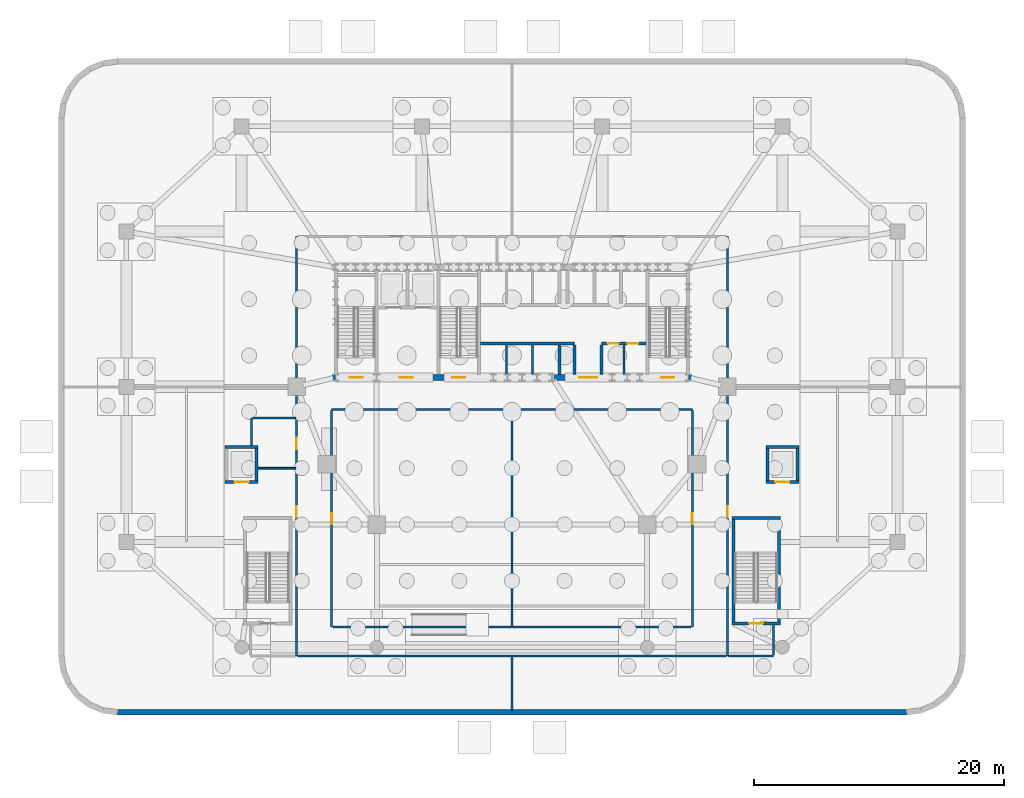
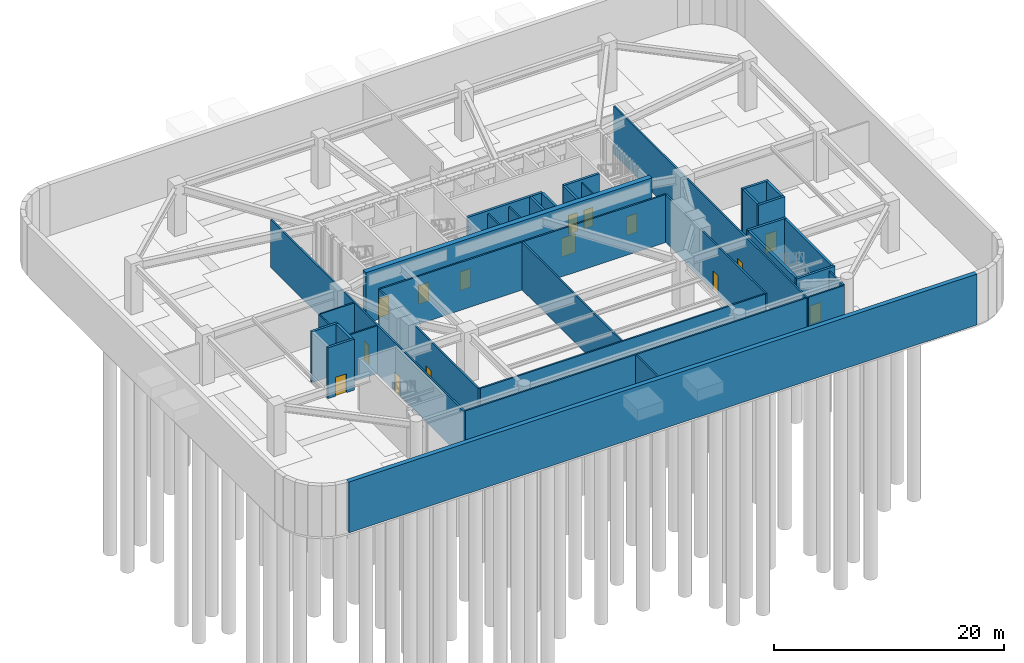
# One storey, part 5 of 11: 35 walls, 15 doors, 15 openings.
"""IFC4 building model written with IfcOpenShell, lengths in metres."""

from ifc_helpers import new_model, si_unit, direction, frame, frame_2d, origin, place, context, subcontext, project, spatial, rectangle, extrude, material, layer, layer_set, type_object, element, fill, save


model = new_model("IFC4")

# Units and contexts
model_context = context("Model", 3, precision=1e-05, world=origin(), true_north=direction((0.0, 1.0)))
body_context = subcontext(model_context, "Body", "Model", "MODEL_VIEW")
ifc_project = project(units=[si_unit("LENGTHUNIT", "METRE"), si_unit("AREAUNIT", "SQUARE_METRE"), si_unit("VOLUMEUNIT", "CUBIC_METRE"), si_unit("PLANEANGLEUNIT", "RADIAN"), si_unit("MASSUNIT", "GRAM", prefix="KILO")], contexts=[model_context])

# Site, building, storey
site_placement = place(None, origin())
site = spatial("IfcSite", under=ifc_project, at=site_placement, CompositionType="ELEMENT")
building_placement = place(site_placement, origin())
building = spatial("IfcBuilding", under=site, at=building_placement, Name="Haldorwick Loom Tower", CompositionType="ELEMENT")
storey_placement = place(building_placement, frame((0.0, 0.0, -5.39990234375)))
storey = spatial("IfcBuildingStorey", under=building, at=storey_placement, Name="B01", CompositionType="ELEMENT", Elevation=-5.39990234375)

# Wall
ifc_material_1 = material(Name="Fire-Rated Type X Gypsum Stud Assembly EI 60")
ifc_layer_1 = layer(ifc_material_1, 0.159912109375, Name="Fire-Rated Type X Gypsum Stud Assembly EI 60")
ifc_layer_set_1 = layer_set([ifc_layer_1], Name="Fire-Rated Type X Gypsum Stud Assembly EI 60")
wall_type_1 = type_object("IfcWallType", Name="ARC-WL-FIRE160", PredefinedType="PARTITIONING", material=ifc_layer_set_1)
wall_1_placement = place(storey_placement, frame((21.60009765625, 24.199951171875, 0.0), z_axis=(0.0, 0.0, 1.0), x_axis=(1.0, 0.0, 0.0)))
element("IfcWall", 1, at=wall_1_placement, inside=storey, type_object=wall_type_1, Name="B01 Podium Partition B01-CS1", PredefinedType="PARTITIONING", context=body_context, shape_type="SweptSolid", body=[
    extrude(rectangle(XDim=28.7998046875, YDim=0.159912109375, at=frame_2d((14.39990234375, 0.0))), origin(), (0.0, 0.0, 1.0), 5.0849609375),
])

# Wall, openings, doors
wall_2_placement = place(storey_placement, frame((18.800048828125, 4.5, 0.0), z_axis=(0.0, 0.0, 1.0), x_axis=(0.0, 1.0, 0.0)))
wall_2 = element("IfcWall", 2, at=wall_2_placement, inside=storey, type_object=wall_type_1, Name="B01 Podium Partition B01-CW0", PredefinedType="PARTITIONING", context=body_context, shape_type="SweptSolid", body=[
    extrude(rectangle(XDim=33.5, YDim=0.159912109375, at=frame_2d((16.75, 0.0))), origin(), (0.0, 0.0, 1.0), 5.0849609375),
])
opening_1_placement = place(wall_2_placement, frame((11.068603515625, 0.0, 0.0)))
opening_1 = element("IfcOpeningElement", 3, at=opening_1_placement, cuts=wall_2, Name="Opening D-FD60A", PredefinedType="OPENING", context=body_context, shape_type="SweptSolid", body=[
    extrude(rectangle(XDim=0.89990234375, YDim=2.0, at=frame_2d((0.449951171875, 1.0))), frame((0.0, 0.08984375, 0.0), z_axis=(0.0, -1.0, 0.0), x_axis=(1.0, 0.0, 0.0)), (0.0, 0.0, 1.0), 0.179931640625),
])
opening_2_placement = place(wall_2_placement, frame((16.5205078125, 0.0, 0.0)))
opening_2 = element("IfcOpeningElement", 4, at=opening_2_placement, cuts=wall_2, Name="Opening D-FD60A", PredefinedType="OPENING", context=body_context, shape_type="SweptSolid", body=[
    extrude(rectangle(XDim=0.89990234375, YDim=2.0, at=frame_2d((0.449951171875, 1.0))), frame((0.0, 0.08984375, 0.0), z_axis=(0.0, -1.0, 0.0), x_axis=(1.0, 0.0, 0.0)), (0.0, 0.0, 1.0), 0.179931640625),
])
ifc_material_2 = material(Name="Hollow Steel Fire Door Assembly", Category="steel")
door_type_1 = type_object("IfcDoorType", Name="ARC-DR-FD60-90", OperationType="NOTDEFINED", PredefinedType="DOOR", material=ifc_material_2)
door_1_placement = place(opening_1_placement, frame((0.89990234375, 0.0, 0.0), z_axis=(0.0, 0.0, 1.0), x_axis=(-1.0, 0.0, 0.0)))
door_1 = element("IfcDoor", 5, at=door_1_placement, inside=storey, type_object=door_type_1, Name="B01 Secure Bicycle Storage to Basement Core Service Corridor Door", OperationType="SINGLE_SWING_RIGHT", OverallHeight=2.0, OverallWidth=0.89990234375, PredefinedType="DOOR", context=body_context, shape_type="SweptSolid", body=[
    extrude(rectangle(XDim=0.89990234375, YDim=2.0, at=frame_2d((0.449951171875, 1.0))), frame((0.0, 0.02490234375, 0.0), z_axis=(0.0, -1.0, 0.0), x_axis=(1.0, 0.0, 0.0)), (0.0, 0.0, 1.0), 0.050048828125),
])
fill(opening_1, door_1)
door_2_placement = place(opening_2_placement, frame((0.89990234375, 0.0, 0.0), z_axis=(0.0, 0.0, 1.0), x_axis=(-1.0, 0.0, 0.0)))
door_2 = element("IfcDoor", 6, at=door_2_placement, inside=storey, type_object=door_type_1, Name="B01 Staff Accessible WC to Basement Core Service Corridor Door", OperationType="SINGLE_SWING_RIGHT", OverallHeight=2.0, OverallWidth=0.89990234375, PredefinedType="DOOR", context=body_context, shape_type="SweptSolid", body=[
    extrude(rectangle(XDim=0.89990234375, YDim=2.0, at=frame_2d((0.449951171875, 1.0))), frame((0.0, 0.02490234375, 0.0), z_axis=(0.0, -1.0, 0.0), x_axis=(1.0, 0.0, 0.0)), (0.0, 0.0, 1.0), 0.050048828125),
])
fill(opening_2, door_2)

# Wall, opening, door
wall_3_placement = place(storey_placement, frame((21.60009765625, 6.800048828125, 0.0), z_axis=(0.0, 0.0, 1.0), x_axis=(0.0, 1.0, 0.0)))
wall_3 = element("IfcWall", 7, at=wall_3_placement, inside=storey, type_object=wall_type_1, Name="B01 Podium Partition B01-CW1", PredefinedType="PARTITIONING", context=body_context, shape_type="SweptSolid", body=[
    extrude(rectangle(XDim=17.31689453125, YDim=0.159912109375, at=frame_2d((8.658447265625, 0.0))), origin(), (0.0, 0.0, 1.0), 5.0849609375),
])
opening_3_placement = place(wall_3_placement, frame((8.20849609375, 0.0, 0.0)))
opening_3 = element("IfcOpeningElement", 8, at=opening_3_placement, cuts=wall_3, Name="Opening D-FD60A", PredefinedType="OPENING", context=body_context, shape_type="SweptSolid", body=[
    extrude(rectangle(XDim=0.89990234375, YDim=2.0, at=frame_2d((0.449951171875, 1.0))), frame((0.0, 0.08984375, 0.0), z_axis=(0.0, -1.0, 0.0), x_axis=(1.0, 0.0, 0.0)), (0.0, 0.0, 1.0), 0.179931640625),
])
door_3_placement = place(opening_3_placement, frame((0.89990234375, 0.0, 0.0), z_axis=(0.0, 0.0, 1.0), x_axis=(-1.0, 0.0, 0.0)))
door_3 = element("IfcDoor", 9, at=door_3_placement, inside=storey, type_object=door_type_1, Name="B01 Basement Core Service Corridor to Traction Power Substation Door", OperationType="SINGLE_SWING_RIGHT", OverallHeight=2.0, OverallWidth=0.89990234375, PredefinedType="DOOR", context=body_context, shape_type="SweptSolid", body=[
    extrude(rectangle(XDim=0.89990234375, YDim=2.0, at=frame_2d((0.449951171875, 1.0))), frame((0.0, 0.02490234375, 0.0), z_axis=(0.0, -1.0, 0.0), x_axis=(1.0, 0.0, 0.0)), (0.0, 0.0, 1.0), 0.050048828125),
])
fill(opening_3, door_3)

wall_4_placement = place(storey_placement, frame((53.199951171875, 4.5, 0.0), z_axis=(0.0, 0.0, 1.0), x_axis=(0.0, 1.0, 0.0)))
wall_4 = element("IfcWall", 10, at=wall_4_placement, inside=storey, type_object=wall_type_1, Name="B01 Podium Partition B01-CE0", PredefinedType="PARTITIONING", context=body_context, shape_type="SweptSolid", body=[
    extrude(rectangle(XDim=33.5, YDim=0.159912109375, at=frame_2d((16.75, 0.0))), origin(), (0.0, 0.0, 1.0), 5.0849609375),
])
opening_4_placement = place(wall_4_placement, frame((11.068603515625, 0.0, 0.0)))
opening_4 = element("IfcOpeningElement", 11, at=opening_4_placement, cuts=wall_4, Name="Opening D-FD60A", PredefinedType="OPENING", context=body_context, shape_type="SweptSolid", body=[
    extrude(rectangle(XDim=0.89990234375, YDim=2.0, at=frame_2d((0.449951171875, 1.0))), frame((0.0, 0.08984375, 0.0), z_axis=(0.0, -1.0, 0.0), x_axis=(1.0, 0.0, 0.0)), (0.0, 0.0, 1.0), 0.179931640625),
])
door_4_placement = place(opening_4_placement, origin())
door_4 = element("IfcDoor", 12, at=door_4_placement, inside=storey, type_object=door_type_1, Name="B01 Basement Core Service Corridor to Domestic Booster and Fire Pump Roo", OperationType="SINGLE_SWING_LEFT", OverallHeight=2.0, OverallWidth=0.89990234375, PredefinedType="DOOR", context=body_context, shape_type="SweptSolid", body=[
    extrude(rectangle(XDim=0.89990234375, YDim=2.0, at=frame_2d((0.449951171875, 1.0))), frame((0.0, 0.02490234375, 0.0), z_axis=(0.0, -1.0, 0.0), x_axis=(1.0, 0.0, 0.0)), (0.0, 0.0, 1.0), 0.050048828125),
])
fill(opening_4, door_4)

wall_5_placement = place(storey_placement, frame((50.39990234375, 6.800048828125, 0.0), z_axis=(0.0, 0.0, 1.0), x_axis=(0.0, 1.0, 0.0)))
wall_5 = element("IfcWall", 13, at=wall_5_placement, inside=storey, type_object=wall_type_1, Name="B01 Podium Partition B01-CE1", PredefinedType="PARTITIONING", context=body_context, shape_type="SweptSolid", body=[
    extrude(rectangle(XDim=17.31689453125, YDim=0.159912109375, at=frame_2d((8.658447265625, 0.0))), origin(), (0.0, 0.0, 1.0), 5.0849609375),
])
opening_5_placement = place(wall_5_placement, frame((8.20849609375, 0.0, 0.0)))
opening_5 = element("IfcOpeningElement", 14, at=opening_5_placement, cuts=wall_5, Name="Opening D-FD60A", PredefinedType="OPENING", context=body_context, shape_type="SweptSolid", body=[
    extrude(rectangle(XDim=0.89990234375, YDim=2.0, at=frame_2d((0.449951171875, 1.0))), frame((0.0, 0.08984375, 0.0), z_axis=(0.0, -1.0, 0.0), x_axis=(1.0, 0.0, 0.0)), (0.0, 0.0, 1.0), 0.179931640625),
])
door_5_placement = place(opening_5_placement, origin())
door_5 = element("IfcDoor", 15, at=door_5_placement, inside=storey, type_object=door_type_1, Name="B01 Geothermal Heat Exchanger Plant to Basement Core Service Corridor Do", OperationType="SINGLE_SWING_LEFT", OverallHeight=2.0, OverallWidth=0.89990234375, PredefinedType="DOOR", context=body_context, shape_type="SweptSolid", body=[
    extrude(rectangle(XDim=0.89990234375, YDim=2.0, at=frame_2d((0.449951171875, 1.0))), frame((0.0, 0.02490234375, 0.0), z_axis=(0.0, -1.0, 0.0), x_axis=(1.0, 0.0, 0.0)), (0.0, 0.0, 1.0), 0.050048828125),
])
fill(opening_5, door_5)

# Walls
wall_6_placement = place(storey_placement, frame((18.883056640625, 4.5, 0.0), z_axis=(0.0, 0.0, 1.0), x_axis=(1.0, 0.0, 0.0)))
element("IfcWall", 16, at=wall_6_placement, inside=storey, type_object=wall_type_1, Name="B01 Podium Partition B01-SS0", PredefinedType="PARTITIONING", context=body_context, shape_type="SweptSolid", body=[
    extrude(rectangle(XDim=34.23388671875, YDim=0.159912109375, at=frame_2d((17.116943359375, 0.0))), origin(), (0.0, 0.0, 1.0), 5.0849609375),
])
wall_7_placement = place(storey_placement, frame((53.282958984375, 4.5, 0.0), z_axis=(0.0, 0.0, 1.0), x_axis=(1.0, 0.0, 0.0)))
element("IfcWall", 17, at=wall_7_placement, inside=storey, type_object=wall_type_1, Name="B01 Podium Partition B01-SS0", PredefinedType="PARTITIONING", context=body_context, shape_type="SweptSolid", body=[
    extrude(rectangle(XDim=3.616943359375, YDim=0.159912109375, at=frame_2d((1.80859375, 0.0))), origin(), (0.0, 0.0, 1.0), 5.0849609375),
])
wall_8_placement = place(storey_placement, frame((21.68310546875, 6.800048828125, 0.0), z_axis=(0.0, 0.0, 1.0), x_axis=(1.0, 0.0, 0.0)))
element("IfcWall", 18, at=wall_8_placement, inside=storey, type_object=wall_type_1, Name="B01 Podium Partition B01-SS1", PredefinedType="PARTITIONING", context=body_context, shape_type="SweptSolid", body=[
    extrude(rectangle(XDim=28.6337890625, YDim=0.159912109375, at=frame_2d((14.31689453125, 0.0))), origin(), (0.0, 0.0, 1.0), 5.0849609375),
])
wall_9_placement = place(storey_placement, frame((56.89990234375, 4.5830078125, 0.0), z_axis=(0.0, 0.0, 1.0), x_axis=(0.0, 1.0, 0.0)))
element("IfcWall", 19, at=wall_9_placement, inside=storey, type_object=wall_type_1, Name="B01 Podium Partition B01-SEL", PredefinedType="PARTITIONING", context=body_context, shape_type="SweptSolid", body=[
    extrude(rectangle(XDim=2.3740234375, YDim=0.159912109375, at=frame_2d((1.18701171875, 0.0))), origin(), (0.0, 0.0, 1.0), 5.0849609375),
])
wall_10_placement = place(storey_placement, frame((36.0, 6.883056640625, 0.0), z_axis=(0.0, 0.0, 1.0), x_axis=(0.0, 1.0, 0.0)))
element("IfcWall", 20, at=wall_10_placement, inside=storey, type_object=wall_type_1, Name="B01 Podium Partition B01-DV1", PredefinedType="PARTITIONING", context=body_context, shape_type="SweptSolid", body=[
    extrude(rectangle(XDim=17.23388671875, YDim=0.159912109375, at=frame_2d((8.616943359375, 0.0))), origin(), (0.0, 0.0, 1.0), 5.0849609375),
])
wall_11_placement = place(storey_placement, frame((36.0, 0.10009765625, 0.0), z_axis=(0.0, 0.0, 1.0), x_axis=(0.0, 1.0, 0.0)))
element("IfcWall", 21, at=wall_11_placement, inside=storey, type_object=wall_type_1, Name="B01 Podium Partition B01-DV5", PredefinedType="PARTITIONING", context=body_context, shape_type="SweptSolid", body=[
    extrude(rectangle(XDim=4.31689453125, YDim=0.159912109375, at=frame_2d((2.158447265625, 0.0))), origin(), (0.0, 0.0, 1.0), 5.0849609375),
])
ifc_layer_2 = layer(ifc_material_1, 0.139892578125, Name="Fire-Rated Type X Gypsum Stud Assembly EI 60")
ifc_layer_set_2 = layer_set([ifc_layer_2], Name="Fire-Rated Type X Gypsum Stud Assembly EI 60")
wall_type_2 = type_object("IfcWallType", Name="ARC-WL-PART140", PredefinedType="PARTITIONING", material=ifc_layer_set_2)
wall_12_placement = place(storey_placement, frame((44.949951171875, 27.0029296875, 0.0), z_axis=(0.0, 0.0, 1.0), x_axis=(0.0, 1.0, 0.0)))
element("IfcWall", 22, at=wall_12_placement, inside=storey, type_object=wall_type_2, Name="B01 Service Partition", PredefinedType="PARTITIONING", context=body_context, shape_type="SweptSolid", body=[
    extrude(rectangle(XDim=2.323974609375, YDim=0.139892578125, at=frame_2d((1.162109375, 0.0))), origin(), (0.0, 0.0, 1.0), 5.0849609375),
])
wall_13_placement = place(storey_placement, frame((15.722900390625, 19.5, 0.0), z_axis=(0.0, 0.0, 1.0), x_axis=(1.0, 0.0, 0.0)))
element("IfcWall", 23, at=wall_13_placement, inside=storey, type_object=wall_type_2, Name="B01 Podium Partition B01-WC1", PredefinedType="PARTITIONING", context=body_context, shape_type="SweptSolid", body=[
    extrude(rectangle(XDim=2.994140625, YDim=0.139892578125, at=frame_2d((1.4970703125, 0.0))), origin(), (0.0, 0.0, 1.0), 5.0849609375),
])
wall_14_placement = place(storey_placement, frame((15.199951171875, 21.322998046875, 0.0), z_axis=(0.0, 0.0, 1.0), x_axis=(0.0, 1.0, 0.0)))
element("IfcWall", 24, at=wall_14_placement, inside=storey, type_object=wall_type_2, Name="B01 Podium Partition B01-WC2", PredefinedType="PARTITIONING", context=body_context, shape_type="SweptSolid", body=[
    extrude(rectangle(XDim=2.177001953125, YDim=0.139892578125, at=frame_2d((1.08837890625, 0.0))), origin(), (0.0, 0.0, 1.0), 5.0849609375),
])
wall_15_placement = place(storey_placement, frame((15.27294921875, 23.5, 0.0), z_axis=(0.0, 0.0, 1.0), x_axis=(1.0, 0.0, 0.0)))
element("IfcWall", 25, at=wall_15_placement, inside=storey, type_object=wall_type_2, Name="B01 Podium Partition B01-WC3", PredefinedType="PARTITIONING", context=body_context, shape_type="SweptSolid", body=[
    extrude(rectangle(XDim=3.444091796875, YDim=0.139892578125, at=frame_2d((1.72216796875, 0.0))), origin(), (0.0, 0.0, 1.0), 5.0849609375),
])
ifc_material_3 = material(Name="Fire-Rated Type X Gypsum Stud Assembly EI 120")
ifc_layer_3 = layer(ifc_material_3, 0.1650390625, Name="Fire-Rated Type X Gypsum Stud Assembly EI 120")
ifc_layer_set_3 = layer_set([ifc_layer_3], Name="Fire-Rated Type X Gypsum Stud Assembly EI 120")
wall_type_3 = type_object("IfcWallType", Name="ARC-WL-SHAFT160", PredefinedType="MOVABLE", material=ifc_layer_set_3)
for number, where, z_axis, x_axis, name in (
    (26, (35.550048828125, 27.0029296875, 0.0), (0.0, 0.0, 1.0), (0.0, 1.0, 0.0), "B01 Mid-Rise Hoistway Divider 1"),
    (27, (37.64990234375, 27.0029296875, 0.0), (0.0, 0.0, 1.0), (0.0, 1.0, 0.0), "B01 Mid-Rise Hoistway Divider 2"),
):
    element("IfcWall", number, at=place(storey_placement, frame(where, z_axis=z_axis, x_axis=x_axis)), inside=storey, type_object=wall_type_3, Name=name, PredefinedType="MOVABLE", context=body_context, shape_type="SweptSolid", body=[
        extrude(rectangle(XDim=2.323974609375, YDim=0.159912109375, at=frame_2d((1.162109375, 0.0))), origin(), (0.0, 0.0, 1.0), 5.0849609375),
    ])
ifc_material_4 = material(Name="Concrete C45 (45 MPa)", Category="concrete")
ifc_layer_4 = layer(ifc_material_4, 0.449951171875, Name="Concrete C45 (45 MPa)", Category="concrete")
ifc_layer_set_4 = layer_set([ifc_layer_4], Name="Concrete C45 (45 MPa)")
wall_type_4 = type_object("IfcWallType", Name="STR-WL-BSMT450", PredefinedType="SOLIDWALL", material=ifc_layer_set_4)
wall_16_placement = place(storey_placement, frame((4.5, 0.0, 0.0), z_axis=(0.0, 0.0, 1.0), x_axis=(1.0, 0.0, 0.0)))
element("IfcWall", 28, at=wall_16_placement, inside=storey, type_object=wall_type_4, Name="B01 Perimeter Basement Retaining Wall 28", PredefinedType="SOLIDWALL", context=body_context, shape_type="SweptSolid", body=[
    extrude(rectangle(XDim=63.0, YDim=0.449951171875, at=frame_2d((31.5, 0.0))), origin(), (0.0, 0.0, 1.0), 5.39990234375),
])

# Wall, openings, doors
ifc_material_5 = material(Name="Concrete C60 (60 MPa)", Category="concrete")
ifc_layer_5 = layer(ifc_material_5, 0.5, Name="Concrete C60 (60 MPa)", Category="concrete")
ifc_layer_set_5 = layer_set([ifc_layer_5], Name="Concrete C60 (60 MPa)")
wall_type_5 = type_object("IfcWallType", Name="STR-WL-CORE500", PredefinedType="SHEAR", material=ifc_layer_set_5)
wall_17_placement = place(storey_placement, frame((21.64990234375, 26.75, 0.0), z_axis=(0.0, 0.0, 1.0), x_axis=(1.0, 0.0, 0.0)))
wall_17 = element("IfcWall", 29, at=wall_17_placement, inside=storey, type_object=wall_type_5, Name="B01 Core Shear Wall S", PredefinedType="SHEAR", context=body_context, shape_type="SweptSolid", body=[
    extrude(rectangle(XDim=28.7001953125, YDim=0.5, at=frame_2d((14.35009765625, 0.0))), origin(), (0.0, 0.0, 1.0), 5.39990234375),
])
opening_6_placement = place(wall_17_placement, frame((1.375, 0.0, 0.0)))
opening_6 = element("IfcOpeningElement", 30, at=opening_6_placement, cuts=wall_17, Name="Opening D-FD60", PredefinedType="OPENING", context=body_context, shape_type="SweptSolid", body=[
    extrude(rectangle(XDim=1.050048828125, YDim=2.0, at=frame_2d((0.52490234375, 1.0))), frame((0.0, 0.260009765625, 0.0), z_axis=(0.0, -1.0, 0.0), x_axis=(1.0, 0.0, 0.0)), (0.0, 0.0, 1.0), 0.52001953125),
])
opening_7_placement = place(wall_17_placement, frame((5.375, 0.0, 0.0)))
opening_7 = element("IfcOpeningElement", 31, at=opening_7_placement, cuts=wall_17, Name="Opening D-FD60", PredefinedType="OPENING", context=body_context, shape_type="SweptSolid", body=[
    extrude(rectangle(XDim=1.050048828125, YDim=2.0, at=frame_2d((0.52490234375, 1.0))), frame((0.0, 0.260009765625, 0.0), z_axis=(0.0, -1.0, 0.0), x_axis=(1.0, 0.0, 0.0)), (0.0, 0.0, 1.0), 0.52001953125),
])
opening_8_placement = place(wall_17_placement, frame((9.574951171875, 0.0, 0.0)))
opening_8 = element("IfcOpeningElement", 32, at=opening_8_placement, cuts=wall_17, Name="Opening D-FD60", PredefinedType="OPENING", context=body_context, shape_type="SweptSolid", body=[
    extrude(rectangle(XDim=1.050048828125, YDim=2.0, at=frame_2d((0.52490234375, 1.0))), frame((0.0, 0.260009765625, 0.0), z_axis=(0.0, -1.0, 0.0), x_axis=(1.0, 0.0, 0.0)), (0.0, 0.0, 1.0), 0.52001953125),
])
opening_9_placement = place(wall_17_placement, frame((19.705078125, 0.0, 0.0)))
opening_9 = element("IfcOpeningElement", 33, at=opening_9_placement, cuts=wall_17, Name="Opening D-LB15", PredefinedType="OPENING", context=body_context, shape_type="SweptSolid", body=[
    extrude(rectangle(XDim=1.449951171875, YDim=2.0, at=frame_2d((0.72509765625, 1.0))), frame((0.0, 0.260009765625, 0.0), z_axis=(0.0, -1.0, 0.0), x_axis=(1.0, 0.0, 0.0)), (0.0, 0.0, 1.0), 0.52001953125),
])
opening_10_placement = place(wall_17_placement, frame((26.27490234375, 0.0, 0.0)))
opening_10 = element("IfcOpeningElement", 34, at=opening_10_placement, cuts=wall_17, Name="Opening D-FD60", PredefinedType="OPENING", context=body_context, shape_type="SweptSolid", body=[
    extrude(rectangle(XDim=1.050048828125, YDim=2.0, at=frame_2d((0.52490234375, 1.0))), frame((0.0, 0.260009765625, 0.0), z_axis=(0.0, -1.0, 0.0), x_axis=(1.0, 0.0, 0.0)), (0.0, 0.0, 1.0), 0.52001953125),
])
door_type_2 = type_object("IfcDoorType", Name="ARC-DR-FD60", OperationType="NOTDEFINED", PredefinedType="DOOR", material=ifc_material_2)
door_6_placement = place(opening_6_placement, origin())
door_6 = element("IfcDoor", 35, at=door_6_placement, inside=storey, type_object=door_type_2, Name="B01 Exit Stair ST-01 Fire Door", OperationType="SINGLE_SWING_LEFT", OverallHeight=2.0, OverallWidth=1.050048828125, PredefinedType="DOOR", context=body_context, shape_type="SweptSolid", body=[
    extrude(rectangle(XDim=1.050048828125, YDim=2.0, at=frame_2d((0.52490234375, 1.0))), frame((0.0, 0.02490234375, 0.0), z_axis=(0.0, -1.0, 0.0), x_axis=(1.0, 0.0, 0.0)), (0.0, 0.0, 1.0), 0.050048828125),
])
fill(opening_6, door_6)
door_7_placement = place(opening_7_placement, origin())
door_7 = element("IfcDoor", 36, at=door_7_placement, inside=storey, type_object=door_type_2, Name="B01 Firefighting Lift Lobby Fire Door", OperationType="SINGLE_SWING_RIGHT", OverallHeight=2.0, OverallWidth=1.050048828125, PredefinedType="DOOR", context=body_context, shape_type="SweptSolid", body=[
    extrude(rectangle(XDim=1.050048828125, YDim=2.0, at=frame_2d((0.52490234375, 1.0))), frame((0.0, 0.02490234375, 0.0), z_axis=(0.0, -1.0, 0.0), x_axis=(1.0, 0.0, 0.0)), (0.0, 0.0, 1.0), 0.050048828125),
])
fill(opening_7, door_7)
door_8_placement = place(opening_8_placement, origin())
door_8 = element("IfcDoor", 37, at=door_8_placement, inside=storey, type_object=door_type_2, Name="B01 Exit Stair ST-03 Fire Door", OperationType="SINGLE_SWING_LEFT", OverallHeight=2.0, OverallWidth=1.050048828125, PredefinedType="DOOR", context=body_context, shape_type="SweptSolid", body=[
    extrude(rectangle(XDim=1.050048828125, YDim=2.0, at=frame_2d((0.52490234375, 1.0))), frame((0.0, 0.02490234375, 0.0), z_axis=(0.0, -1.0, 0.0), x_axis=(1.0, 0.0, 0.0)), (0.0, 0.0, 1.0), 0.050048828125),
])
fill(opening_8, door_8)
door_9_placement = place(opening_10_placement, origin())
door_9 = element("IfcDoor", 38, at=door_9_placement, inside=storey, type_object=door_type_2, Name="B01 Exit Stair ST-02 Fire Door", OperationType="SINGLE_SWING_LEFT", OverallHeight=2.0, OverallWidth=1.050048828125, PredefinedType="DOOR", context=body_context, shape_type="SweptSolid", body=[
    extrude(rectangle(XDim=1.050048828125, YDim=2.0, at=frame_2d((0.52490234375, 1.0))), frame((0.0, 0.02490234375, 0.0), z_axis=(0.0, -1.0, 0.0), x_axis=(1.0, 0.0, 0.0)), (0.0, 0.0, 1.0), 0.050048828125),
])
fill(opening_10, door_9)
ifc_material_6 = material(Name="Thermally Broken Anodized Aluminium and Tempered Glass", Category="aluminium")
door_type_3 = type_object("IfcDoorType", Name="ARC-DR-LOB150", OperationType="NOTDEFINED", PredefinedType="DOOR", material=ifc_material_6)
door_10_placement = place(opening_9_placement, frame((1.449951171875, 0.0, 0.0), z_axis=(0.0, 0.0, 1.0), x_axis=(-1.0, 0.0, 0.0)))
door_10 = element("IfcDoor", 39, at=door_10_placement, inside=storey, type_object=door_type_3, Name="B01 Passenger Lift Lobby Fire Door", OperationType="DOUBLE_DOOR_SINGLE_SWING", OverallHeight=2.0, OverallWidth=1.449951171875, PredefinedType="DOOR", context=body_context, shape_type="SweptSolid", body=[
    extrude(rectangle(XDim=1.449951171875, YDim=2.0, at=frame_2d((0.72509765625, 1.0))), frame((0.0, 0.02490234375, 0.0), z_axis=(0.0, -1.0, 0.0), x_axis=(1.0, 0.0, 0.0)), (0.0, 0.0, 1.0), 0.050048828125),
])
fill(opening_9, door_10)

# Wall
ifc_material_7 = material(Name="Concrete C50 (50 MPa)", Category="concrete")
ifc_layer_6 = layer(ifc_material_7, 0.239990234375, Name="Concrete C50 (50 MPa)", Category="concrete")
ifc_layer_set_6 = layer_set([ifc_layer_6], Name="Concrete C50 (50 MPa)")
wall_type_6 = type_object("IfcWallType", Name="STR-WL-SHAFT240", PredefinedType="SHEAR", material=ifc_layer_set_6)
wall_18_placement = place(storey_placement, frame((33.492919921875, 29.449951171875, 0.0), z_axis=(0.0, 0.0, 1.0), x_axis=(1.0, 0.0, 0.0)))
element("IfcWall", 40, at=wall_18_placement, inside=storey, type_object=wall_type_6, Name="B01 Core Shear Wall LS1", PredefinedType="SHEAR", context=body_context, shape_type="SweptSolid", body=[
    extrude(rectangle(XDim=7.507080078125, YDim=0.239990234375, at=frame_2d((3.75341796875, 0.0))), origin(), (0.0, 0.0, 1.0), 5.39990234375),
])

# Wall, openings, doors
wall_19_placement = place(storey_placement, frame((43.14990234375, 29.449951171875, 0.0), z_axis=(0.0, 0.0, 1.0), x_axis=(1.0, 0.0, 0.0)))
wall_19 = element("IfcWall", 41, at=wall_19_placement, inside=storey, type_object=wall_type_6, Name="B01 Core Shear Wall LS2", PredefinedType="SHEAR", context=body_context, shape_type="SweptSolid", body=[
    extrude(rectangle(XDim=3.55712890625, YDim=0.239990234375, at=frame_2d((1.778564453125, 0.0))), origin(), (0.0, 0.0, 1.0), 5.39990234375),
])
opening_11_placement = place(wall_19_placement, frame((0.47998046875, 0.0, 0.0)))
opening_11 = element("IfcOpeningElement", 42, at=opening_11_placement, cuts=wall_19, Name="Opening D-FD60A", PredefinedType="OPENING", context=body_context, shape_type="SweptSolid", body=[
    extrude(rectangle(XDim=0.89990234375, YDim=2.0, at=frame_2d((0.449951171875, 1.0))), frame((0.0, 0.1298828125, 0.0), z_axis=(0.0, -1.0, 0.0), x_axis=(1.0, 0.0, 0.0)), (0.0, 0.0, 1.0), 0.260009765625),
])
opening_12_placement = place(wall_19_placement, frame((2.050048828125, 0.0, 0.0)))
opening_12 = element("IfcOpeningElement", 43, at=opening_12_placement, cuts=wall_19, Name="Opening D-FD60A", PredefinedType="OPENING", context=body_context, shape_type="SweptSolid", body=[
    extrude(rectangle(XDim=0.89990234375, YDim=2.0, at=frame_2d((0.449951171875, 1.0))), frame((0.0, 0.1298828125, 0.0), z_axis=(0.0, -1.0, 0.0), x_axis=(1.0, 0.0, 0.0)), (0.0, 0.0, 1.0), 0.260009765625),
])
door_11_placement = place(opening_11_placement, origin())
door_11 = element("IfcDoor", 44, at=door_11_placement, inside=storey, type_object=door_type_1, Name="B01 Electrical Room Door", OperationType="SINGLE_SWING_LEFT", OverallHeight=2.0, OverallWidth=0.89990234375, PredefinedType="DOOR", context=body_context, shape_type="SweptSolid", body=[
    extrude(rectangle(XDim=0.89990234375, YDim=2.0, at=frame_2d((0.449951171875, 1.0))), frame((0.0, 0.02490234375, 0.0), z_axis=(0.0, -1.0, 0.0), x_axis=(1.0, 0.0, 0.0)), (0.0, 0.0, 1.0), 0.050048828125),
])
fill(opening_11, door_11)
door_12_placement = place(opening_12_placement, origin())
door_12 = element("IfcDoor", 45, at=door_12_placement, inside=storey, type_object=door_type_1, Name="B01 Cleaner's Store Door", OperationType="SINGLE_SWING_LEFT", OverallHeight=2.0, OverallWidth=0.89990234375, PredefinedType="DOOR", context=body_context, shape_type="SweptSolid", body=[
    extrude(rectangle(XDim=0.89990234375, YDim=2.0, at=frame_2d((0.449951171875, 1.0))), frame((0.0, 0.02490234375, 0.0), z_axis=(0.0, -1.0, 0.0), x_axis=(1.0, 0.0, 0.0)), (0.0, 0.0, 1.0), 0.050048828125),
])
fill(opening_12, door_12)

# Walls
for number, where, z_axis, x_axis, name in (
    (46, (41.0, 27.0029296875, 0.0), (0.0, 0.0, 1.0), (0.0, 1.0, 0.0), "B01 Core Shear Wall THW"),
    (47, (43.14990234375, 27.0029296875, 0.0), (0.0, 0.0, 1.0), (0.0, 1.0, 0.0), "B01 Core Shear Wall THE"),
    (48, (39.800048828125, 27.0029296875, 0.0), (0.0, 0.0, 1.0), (0.0, 1.0, 0.0), "B01 Core Shear Wall MRW"),
):
    element("IfcWall", number, at=place(storey_placement, frame(where, z_axis=z_axis, x_axis=x_axis)), inside=storey, type_object=wall_type_6, Name=name, PredefinedType="SHEAR", context=body_context, shape_type="SweptSolid", body=[
        extrude(rectangle(XDim=2.323974609375, YDim=0.239990234375, at=frame_2d((1.162109375, 0.0))), origin(), (0.0, 0.0, 1.0), 5.39990234375),
    ])

# Wall, opening, door
wall_20_placement = place(storey_placement, frame((53.56005859375, 7.080078125, 0.0), z_axis=(0.0, 0.0, 1.0), x_axis=(1.0, 0.0, 0.0)))
wall_20 = element("IfcWall", 49, at=wall_20_placement, inside=storey, type_object=wall_type_6, Name="B01 Exit Stairwell ST-P2 Wall", PredefinedType="SHEAR", context=body_context, shape_type="SweptSolid", body=[
    extrude(rectangle(XDim=3.8798828125, YDim=0.239990234375, at=frame_2d((1.93994140625, 0.0))), origin(), (0.0, 0.0, 1.0), 5.39990234375),
])
opening_13_placement = place(wall_20_placement, frame((1.389892578125, 0.0, 0.0)))
opening_13 = element("IfcOpeningElement", 50, at=opening_13_placement, cuts=wall_20, Name="Opening D-FD90", PredefinedType="OPENING", context=body_context, shape_type="SweptSolid", body=[
    extrude(rectangle(XDim=1.10009765625, YDim=2.0, at=frame_2d((0.550048828125, 1.0))), frame((0.0, 0.1298828125, 0.0), z_axis=(0.0, -1.0, 0.0), x_axis=(1.0, 0.0, 0.0)), (0.0, 0.0, 1.0), 0.260009765625),
])
door_type_4 = type_object("IfcDoorType", Name="ARC-DR-FD90", OperationType="NOTDEFINED", PredefinedType="DOOR", material=ifc_material_2)
door_13_placement = place(opening_13_placement, origin())
door_13 = element("IfcDoor", 51, at=door_13_placement, inside=storey, type_object=door_type_4, Name="B01 Exit Stairwell ST-P2 Exit Door", OperationType="SINGLE_SWING_RIGHT", OverallHeight=2.0, OverallWidth=1.10009765625, PredefinedType="DOOR", context=body_context, shape_type="SweptSolid", body=[
    extrude(rectangle(XDim=1.10009765625, YDim=2.0, at=frame_2d((0.550048828125, 1.0))), frame((0.0, 0.02490234375, 0.0), z_axis=(0.0, -1.0, 0.0), x_axis=(1.0, 0.0, 0.0)), (0.0, 0.0, 1.0), 0.050048828125),
])
fill(opening_13, door_13)

# Walls
wall_21_placement = place(storey_placement, frame((57.43994140625, 15.52001953125, 0.0), z_axis=(0.0, 0.0, 1.0), x_axis=(-1.0, 0.0, 0.0)))
element("IfcWall", 52, at=wall_21_placement, inside=storey, type_object=wall_type_6, Name="B01 Exit Stairwell ST-P2 Wall", PredefinedType="SHEAR", context=body_context, shape_type="SweptSolid", body=[
    extrude(rectangle(XDim=3.8798828125, YDim=0.239990234375, at=frame_2d((1.93994140625, 0.0))), origin(), (0.0, 0.0, 1.0), 5.39990234375),
])
for number, where, z_axis, x_axis, name in (
    (53, (53.679931640625, 7.202880859375, 0.0), (0.0, 0.0, 1.0), (0.0, 1.0, 0.0), "B01 Exit Stairwell ST-P2 Wall"),
    (54, (57.320068359375, 7.202880859375, 0.0), (0.0, 0.0, 1.0), (0.0, 1.0, 0.0), "B01 Exit Stairwell ST-P2 Wall"),
):
    element("IfcWall", number, at=place(storey_placement, frame(where, z_axis=z_axis, x_axis=x_axis)), inside=storey, type_object=wall_type_6, Name=name, PredefinedType="SHEAR", context=body_context, shape_type="SweptSolid", body=[
        extrude(rectangle(XDim=8.194091796875, YDim=0.239990234375, at=frame_2d((4.09716796875, 0.0))), origin(), (0.0, 0.0, 1.0), 5.39990234375),
    ])

# Wall, opening, door
wall_22_placement = place(storey_placement, frame((13.080078125, 18.39990234375, 0.0), z_axis=(0.0, 0.0, 1.0), x_axis=(1.0, 0.0, 0.0)))
wall_22 = element("IfcWall", 55, at=wall_22_placement, inside=storey, type_object=wall_type_6, Name="B01 Podium Lift Shaft LF-P1 Wall", PredefinedType="SHEAR", context=body_context, shape_type="SweptSolid", body=[
    extrude(rectangle(XDim=2.639892578125, YDim=0.239990234375, at=frame_2d((1.31982421875, 0.0))), origin(), (0.0, 0.0, 1.0), 5.39990234375),
])
opening_14_placement = place(wall_22_placement, frame((0.760009765625, 0.0, 0.0)))
opening_14 = element("IfcOpeningElement", 56, at=opening_14_placement, cuts=wall_22, Name="Opening LD-P1", PredefinedType="OPENING", context=body_context, shape_type="SweptSolid", body=[
    extrude(rectangle(XDim=1.1201171875, YDim=2.0, at=frame_2d((0.56005859375, 1.0))), frame((0.0, 0.1298828125, 0.0), z_axis=(0.0, -1.0, 0.0), x_axis=(1.0, 0.0, 0.0)), (0.0, 0.0, 1.0), 0.260009765625),
])
door_type_5 = type_object("IfcDoorType", Name="ARC-DR-LD-PAX", OperationType="NOTDEFINED", PredefinedType="USERDEFINED", material=ifc_material_2)
door_14_placement = place(opening_14_placement, origin())
door_14 = element("IfcDoor", 57, at=door_14_placement, inside=storey, type_object=door_type_5, Name="B01 Lift LF-P1 Sliding Landing Door", ObjectType="LANDING DOOR", OperationType="DOUBLE_DOOR_SLIDING", OverallHeight=2.0, OverallWidth=1.1201171875, PredefinedType="USERDEFINED", context=body_context, shape_type="SweptSolid", body=[
    extrude(rectangle(XDim=1.1201171875, YDim=2.0, at=frame_2d((0.56005859375, 1.0))), frame((0.0, 0.02490234375, 0.0), z_axis=(0.0, -1.0, 0.0), x_axis=(1.0, 0.0, 0.0)), (0.0, 0.0, 1.0), 0.050048828125),
])
fill(opening_14, door_14)

# Walls
wall_23_placement = place(storey_placement, frame((15.719970703125, 21.199951171875, 0.0), z_axis=(0.0, 0.0, 1.0), x_axis=(-1.0, 0.0, 0.0)))
element("IfcWall", 58, at=wall_23_placement, inside=storey, type_object=wall_type_6, Name="B01 Podium Lift Shaft LF-P1 Wall", PredefinedType="SHEAR", context=body_context, shape_type="SweptSolid", body=[
    extrude(rectangle(XDim=2.639892578125, YDim=0.239990234375, at=frame_2d((1.31982421875, 0.0))), origin(), (0.0, 0.0, 1.0), 5.39990234375),
])
wall_24_placement = place(storey_placement, frame((15.60009765625, 18.52294921875, 0.0), z_axis=(0.0, 0.0, 1.0), x_axis=(0.0, 1.0, 0.0)))
element("IfcWall", 59, at=wall_24_placement, inside=storey, type_object=wall_type_6, Name="B01 Podium Lift Shaft LF-P1 Wall", PredefinedType="SHEAR", context=body_context, shape_type="SweptSolid", body=[
    extrude(rectangle(XDim=2.553955078125, YDim=0.239990234375, at=frame_2d((1.27685546875, 0.0))), origin(), (0.0, 0.0, 1.0), 5.39990234375),
])

# Wall, opening, door
wall_25_placement = place(storey_placement, frame((56.280029296875, 18.39990234375, 0.0), z_axis=(0.0, 0.0, 1.0), x_axis=(1.0, 0.0, 0.0)))
wall_25 = element("IfcWall", 60, at=wall_25_placement, inside=storey, type_object=wall_type_6, Name="B01 Podium Lift Shaft LF-P2 Wall", PredefinedType="SHEAR", context=body_context, shape_type="SweptSolid", body=[
    extrude(rectangle(XDim=2.639892578125, YDim=0.239990234375, at=frame_2d((1.31982421875, 0.0))), origin(), (0.0, 0.0, 1.0), 5.39990234375),
])
opening_15_placement = place(wall_25_placement, frame((0.760009765625, 0.0, 0.0)))
opening_15 = element("IfcOpeningElement", 61, at=opening_15_placement, cuts=wall_25, Name="Opening LD-P2", PredefinedType="OPENING", context=body_context, shape_type="SweptSolid", body=[
    extrude(rectangle(XDim=1.1201171875, YDim=2.0, at=frame_2d((0.56005859375, 1.0))), frame((0.0, 0.1298828125, 0.0), z_axis=(0.0, -1.0, 0.0), x_axis=(1.0, 0.0, 0.0)), (0.0, 0.0, 1.0), 0.260009765625),
])
door_15_placement = place(opening_15_placement, origin())
door_15 = element("IfcDoor", 62, at=door_15_placement, inside=storey, type_object=door_type_5, Name="B01 Lift LF-P2 Sliding Landing Door", ObjectType="LANDING DOOR", OperationType="DOUBLE_DOOR_SLIDING", OverallHeight=2.0, OverallWidth=1.1201171875, PredefinedType="USERDEFINED", context=body_context, shape_type="SweptSolid", body=[
    extrude(rectangle(XDim=1.1201171875, YDim=2.0, at=frame_2d((0.56005859375, 1.0))), frame((0.0, 0.02490234375, 0.0), z_axis=(0.0, -1.0, 0.0), x_axis=(1.0, 0.0, 0.0)), (0.0, 0.0, 1.0), 0.050048828125),
])
fill(opening_15, door_15)

# Walls
wall_26_placement = place(storey_placement, frame((58.919921875, 21.199951171875, 0.0), z_axis=(0.0, 0.0, 1.0), x_axis=(-1.0, 0.0, 0.0)))
element("IfcWall", 63, at=wall_26_placement, inside=storey, type_object=wall_type_6, Name="B01 Podium Lift Shaft LF-P2 Wall", PredefinedType="SHEAR", context=body_context, shape_type="SweptSolid", body=[
    extrude(rectangle(XDim=2.639892578125, YDim=0.239990234375, at=frame_2d((1.31982421875, 0.0))), origin(), (0.0, 0.0, 1.0), 5.39990234375),
])
for number, where, z_axis, x_axis, name in (
    (64, (56.39990234375, 18.52294921875, 0.0), (0.0, 0.0, 1.0), (0.0, 1.0, 0.0), "B01 Podium Lift Shaft LF-P2 Wall"),
    (65, (58.800048828125, 18.52294921875, 0.0), (0.0, 0.0, 1.0), (0.0, 1.0, 0.0), "B01 Podium Lift Shaft LF-P2 Wall"),
):
    element("IfcWall", number, at=place(storey_placement, frame(where, z_axis=z_axis, x_axis=x_axis)), inside=storey, type_object=wall_type_6, Name=name, PredefinedType="SHEAR", context=body_context, shape_type="SweptSolid", body=[
        extrude(rectangle(XDim=2.553955078125, YDim=0.239990234375, at=frame_2d((1.27685546875, 0.0))), origin(), (0.0, 0.0, 1.0), 5.39990234375),
    ])

save(model, "model.ifc")
